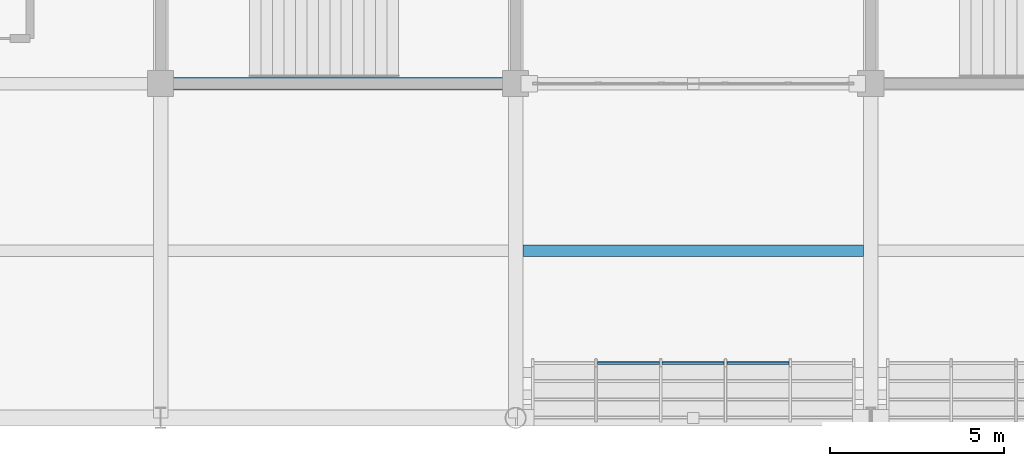
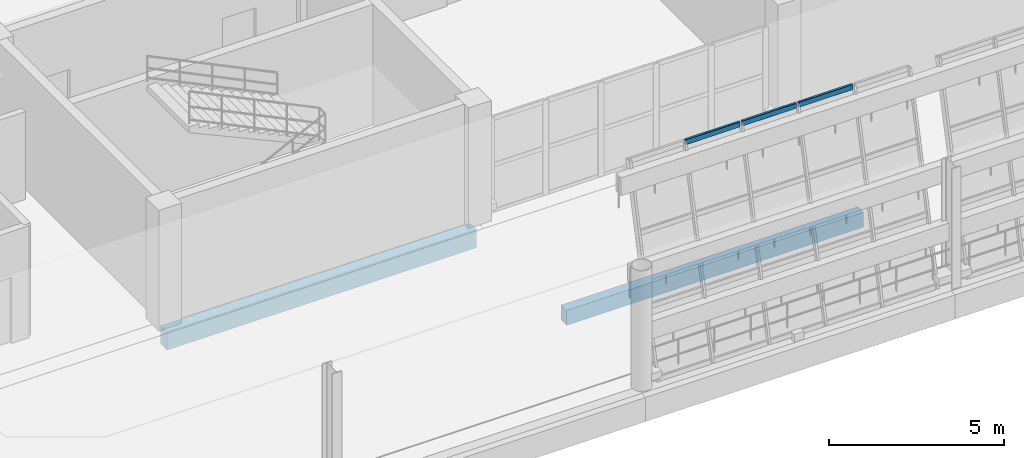
# One storey, part 34 of 157: 3 members, 2 beams, 1 element without a shape of its own.
"""IFC4 building model written with IfcOpenShell, lengths in metres."""

from ifc_helpers import new_model, si_unit, direction, frame, origin, origin_2d, place, context, subcontext, project, spatial, rectangle, hollow_rectangle, extrude, material, material_profile, profile_set, type_object, element, aggregate, save


model = new_model("IFC4")

# Units and contexts
model_context = context("Model", 3, precision=1e-05, world=origin(), true_north=direction((0.0, 1.0)))
body_context = subcontext(model_context, "Body", "Model", "MODEL_VIEW")
ifc_project = project(units=[si_unit("LENGTHUNIT", "METRE"), si_unit("AREAUNIT", "SQUARE_METRE"), si_unit("VOLUMEUNIT", "CUBIC_METRE"), si_unit("PLANEANGLEUNIT", "RADIAN"), si_unit("MASSUNIT", "GRAM", prefix="KILO")], contexts=[model_context])

# Site, building, storey
site_placement = place(None, origin())
site = spatial("IfcSite", under=ifc_project, at=site_placement, CompositionType="ELEMENT")
building_placement = place(site_placement, origin())
building = spatial("IfcBuilding", under=site, at=building_placement, Name="Brelvane Convention Centre", CompositionType="ELEMENT")
storey_placement = place(building_placement, frame((0.0, 0.0, 10.800048828125)))
storey = spatial("IfcBuildingStorey", under=building, at=storey_placement, Name="L02", CompositionType="ELEMENT", Elevation=10.800048828125)

# Curtain wall, members
ifc_material_1 = material(Name="Anodised Aluminium Alloy 6063-T6", Category="aluminium")
curtain_wall_type = type_object("IfcCurtainWallType", Name="Curtain Wall CW-HULL-N", PredefinedType="USERDEFINED", material=ifc_material_1)
curtain_wall_placement = place(storey_placement, origin())
curtain_wall = element("IfcCurtainWall", 1, at=curtain_wall_placement, inside=storey, type_object=curtain_wall_type, Name="Curtain Wall CW-HULL-N L02-V1N-HULL-03", ObjectType="UNITISED", PredefinedType="USERDEFINED")
ifc_material_2 = material(Name="Anodised Aluminium Alloy 6063-T6", Category="aluminium")
ifc_material_profile_1 = material_profile(ifc_material_2, hollow_rectangle(XDim=0.080078125, YDim=0.179931640625, WallThickness=0.0048828125, InnerFilletRadius=0.0048828125, OuterFilletRadius=0.010009765625, at=origin_2d()), Name="ALU-T 180x80x5.0")
ifc_profile_set_1 = profile_set([ifc_material_profile_1], Name="Anodised Aluminium Alloy 6063-T6")
member_type = type_object("IfcMemberType", Name="Curtain Transom CW-T1", PredefinedType="USERDEFINED", material=ifc_profile_set_1)
member_1_placement = place(storey_placement, frame((22.75, 101.173828125, 6.7099609375), z_axis=(1.0, 0.0, 0.0), x_axis=(0.0, 1.0, 0.0)))
member_1 = element("IfcMember", 2, at=member_1_placement, type_object=member_type, Name="CW-HULL-N transom 2.4", ObjectType="TRANSOM", PredefinedType="USERDEFINED", context=body_context, shape_type="SweptSolid", body=[
    extrude(hollow_rectangle(XDim=0.080078125, YDim=0.179931640625, WallThickness=0.0048828125, InnerFilletRadius=0.0048828125, OuterFilletRadius=0.010009765625, at=origin_2d()), origin(), (0.0, 0.0, 1.0), 1.780029296875),
])
member_2_placement = place(storey_placement, frame((24.610107421875, 101.173828125, 6.7099609375), z_axis=(1.0, 0.0, 0.0), x_axis=(0.0, 1.0, 0.0)))
member_2 = element("IfcMember", 3, at=member_2_placement, type_object=member_type, Name="CW-HULL-N transom 3.4", ObjectType="TRANSOM", PredefinedType="USERDEFINED", context=body_context, shape_type="SweptSolid", body=[
    extrude(hollow_rectangle(XDim=0.080078125, YDim=0.179931640625, WallThickness=0.0048828125, InnerFilletRadius=0.0048828125, OuterFilletRadius=0.010009765625, at=origin_2d()), origin(), (0.0, 0.0, 1.0), 1.77978515625),
])
member_3_placement = place(storey_placement, frame((26.469970703125, 101.173828125, 6.7099609375), z_axis=(1.0, 0.0, 0.0), x_axis=(0.0, 1.0, 0.0)))
member_3 = element("IfcMember", 4, at=member_3_placement, type_object=member_type, Name="CW-HULL-N transom 4.4", ObjectType="TRANSOM", PredefinedType="USERDEFINED", context=body_context, shape_type="SweptSolid", body=[
    extrude(hollow_rectangle(XDim=0.080078125, YDim=0.179931640625, WallThickness=0.0048828125, InnerFilletRadius=0.0048828125, OuterFilletRadius=0.010009765625, at=origin_2d()), origin(), (0.0, 0.0, 1.0), 1.780029296875),
])
aggregate(curtain_wall, [member_1, member_2, member_3])

# Beams
ifc_material_3 = material(Name="Concrete M40", Category="concrete")
ifc_material_profile_2 = material_profile(ifc_material_3, rectangle(XDim=0.320068359375, YDim=0.52001953125, at=origin_2d()), Name="RC 320x520")
ifc_profile_set_2 = profile_set([ifc_material_profile_2], Name="Concrete M40")
beam_type_1 = type_object("IfcBeamType", Name="RC Joist J-RC4 (RC 320x520)", PredefinedType="JOIST", material=ifc_profile_set_2)
beam_1_placement = place(storey_placement, frame((20.610107421875, 104.39990234375, -0.5400390625), z_axis=(1.0, 0.0, 0.0), x_axis=(0.0, 1.0, 0.0)))
element("IfcBeam", 5, at=beam_1_placement, inside=storey, type_object=beam_type_1, Name="L02 Secondary Joist 3-4/KL", PredefinedType="JOIST", context=body_context, shape_type="SweptSolid", body=[
    extrude(rectangle(XDim=0.320068359375, YDim=0.52001953125, at=origin_2d()), origin(), (0.0, 0.0, 1.0), 9.77978515625),
])
ifc_material_4 = material(Name="Concrete M40", Category="concrete")
ifc_material_profile_3 = material_profile(ifc_material_4, rectangle(XDim=0.360107421875, YDim=0.639892578125, at=origin_2d()), Name="RC 360x640")
ifc_profile_set_3 = profile_set([ifc_material_profile_3], Name="Concrete M40")
beam_type_2 = type_object("IfcBeamType", Name="RC Spandrel SP-RC3 (RC 360x640)", PredefinedType="SPANDREL", material=ifc_profile_set_3)
beam_2_placement = place(storey_placement, frame((10.199951171875, 109.199951171875, -0.60009765625), z_axis=(1.0, 0.0, 0.0), x_axis=(0.0, 1.0, 0.0)))
element("IfcBeam", 6, at=beam_2_placement, inside=storey, type_object=beam_type_2, Name="L02 Beam 2-3/L", PredefinedType="SPANDREL", context=body_context, shape_type="SweptSolid", body=[
    extrude(rectangle(XDim=0.360107421875, YDim=0.639892578125, at=origin_2d()), origin(), (0.0, 0.0, 1.0), 10.199951171875),
])

save(model, "model.ifc")
